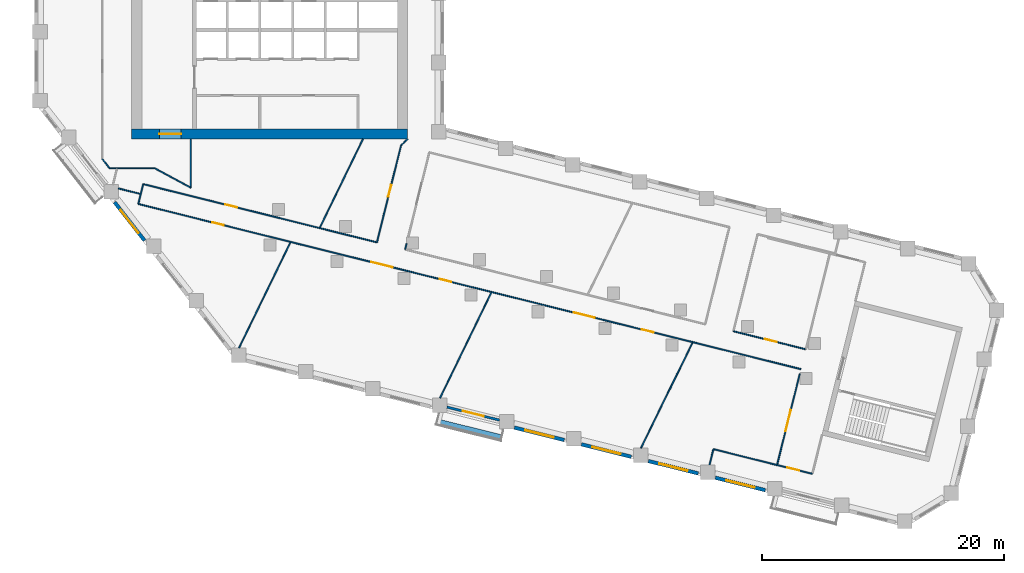
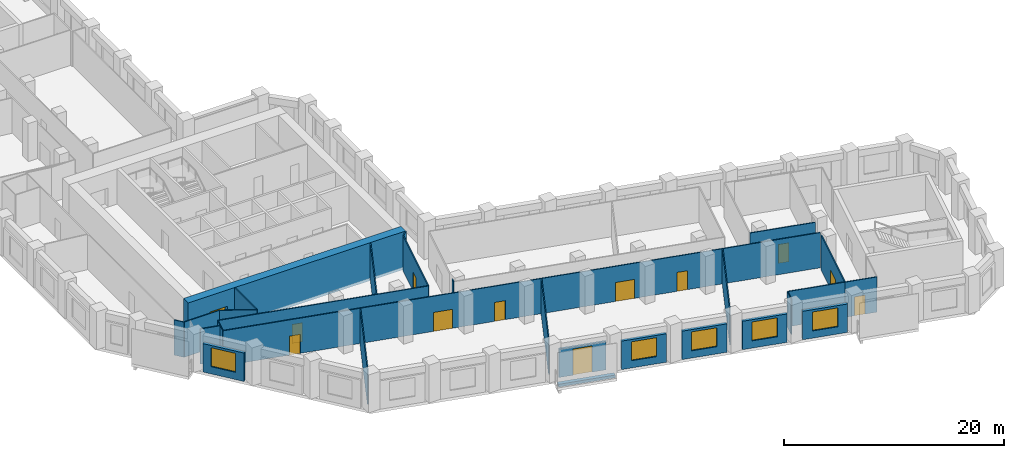
# One storey, part 3 of 10: 28 walls, 12 doors, 5 windows, 17 openings.
"""IFC4 building model written with IfcOpenShell, lengths in metres."""

from ifc_helpers import new_model, si_unit, direction, frame, frame_2d, origin, place, context, subcontext, project, spatial, rectangle, extrude, material, layer, layer_set, type_object, element, fill, save


model = new_model("IFC4")

# Units and contexts
model_context = context("Model", 3, precision=1e-05, world=origin(), true_north=direction((0.0, 1.0)))
body_context = subcontext(model_context, "Body", "Model", "MODEL_VIEW")
ifc_project = project(units=[si_unit("LENGTHUNIT", "METRE"), si_unit("AREAUNIT", "SQUARE_METRE"), si_unit("VOLUMEUNIT", "CUBIC_METRE"), si_unit("PLANEANGLEUNIT", "RADIAN"), si_unit("MASSUNIT", "GRAM", prefix="KILO")], contexts=[model_context])

# Site, building, storey
site_placement = place(None, origin())
site = spatial("IfcSite", under=ifc_project, at=site_placement, CompositionType="ELEMENT")
building_placement = place(site_placement, origin())
building = spatial("IfcBuilding", under=site, at=building_placement, Name="Meshkara Civic Tower", CompositionType="ELEMENT")
storey_placement = place(building_placement, frame((0.0, 0.0, 186.60009765625)))
storey = spatial("IfcBuildingStorey", under=building, at=storey_placement, Name="L42", CompositionType="ELEMENT", Elevation=186.60009765625)

# Wall, opening, door
ifc_material_1 = material(Name="Concrete C70", Category="concrete")
ifc_layer_1 = layer(ifc_material_1, 0.85009765625)
ifc_layer_set_1 = layer_set([ifc_layer_1], Name="Core ring wall 850 C70")
wall_type_1 = type_object("IfcWallType", Name="Core ring wall 850 C70", PredefinedType="SHEAR", material=ifc_layer_set_1)
wall_1_placement = place(storey_placement, frame((8.0, 14.52490234375, -0.300048828125), z_axis=(0.0, 0.0, 1.0), x_axis=(1.0, 0.0, 0.0)))
wall_1 = element("IfcWall", 1, at=wall_1_placement, inside=storey, type_object=wall_type_1, Name="L42-C001", PredefinedType="SHEAR", context=body_context, shape_type="SweptSolid", body=[
    extrude(rectangle(XDim=22.800048828125, YDim=0.85009765625, at=frame_2d((11.39990234375, 0.0))), origin(), (0.0, 0.0, 1.0), 4.199951171875),
])
opening_1_placement = place(wall_1_placement, frame((2.300048828125, 0.0, 0.300048828125)))
opening_1 = element("IfcOpeningElement", 2, at=opening_1_placement, cuts=wall_1, Name="Opening L42-K021", PredefinedType="OPENING", context=body_context, shape_type="SweptSolid", body=[
    extrude(rectangle(XDim=1.800048828125, YDim=2.10009765625, at=frame_2d((0.89990234375, 1.050048828125))), frame((0.0, 0.43505859375, 0.0), z_axis=(0.0, -1.0, 0.0), x_axis=(1.0, 0.0, 0.0)), (0.0, 0.0, 1.0), 0.8701171875),
])
ifc_material_2 = material(Name="Fire-rated door leaf in steel frame", Category="steel")
door_type_1 = type_object("IfcDoorType", Name="Core double door 1800 EI 60", OperationType="DOUBLE_DOOR_SINGLE_SWING", PredefinedType="DOOR", material=ifc_material_2)
door_1_placement = place(opening_1_placement, origin())
door_1 = element("IfcDoor", 3, at=door_1_placement, inside=storey, type_object=door_type_1, Name="L42-K021", OperationType="DOUBLE_DOOR_SINGLE_SWING", OverallHeight=2.10009765625, OverallWidth=1.800048828125, PredefinedType="DOOR", context=body_context, shape_type="SweptSolid", body=[
    extrude(rectangle(XDim=1.800048828125, YDim=2.10009765625, at=frame_2d((0.89990234375, 1.050048828125))), frame((0.0, 0.02490234375, 0.0), z_axis=(0.0, -1.0, 0.0), x_axis=(1.0, 0.0, 0.0)), (0.0, 0.0, 1.0), 0.050048828125),
])
fill(opening_1, door_1)

# Walls
ifc_material_3 = material(Name="Corridor wall 100")
ifc_layer_2 = layer(ifc_material_3, 0.10009765625)
ifc_layer_set_2 = layer_set([ifc_layer_2], Name="Corridor wall 100")
wall_type_2 = type_object("IfcWallType", Name="Corridor wall 100", PredefinedType="PARTITIONING", material=ifc_layer_set_2)
wall_2_placement = place(storey_placement, frame((5.60009765625, 12.450927734375, 0.0), z_axis=(0.0, 0.0, 1.0), x_axis=(0.615783213621, -0.787915626081, 0.0)))
element("IfcWall", 4, at=wall_2_placement, inside=storey, type_object=wall_type_2, Name="L42-W004", PredefinedType="PARTITIONING", context=body_context, shape_type="SweptSolid", body=[
    extrude(rectangle(XDim=0.953125, YDim=0.10009765625, at=frame_2d((0.4765625, 0.0))), origin(), (0.0, 0.0, 1.0), 3.89990234375),
])
wall_3_placement = place(storey_placement, frame((6.18701171875, 11.699951171875, 0.0), z_axis=(0.0, 0.0, 1.0), x_axis=(1.0, 0.0, 0.0)))
element("IfcWall", 5, at=wall_3_placement, inside=storey, type_object=wall_type_2, Name="L42-W006", PredefinedType="PARTITIONING", context=body_context, shape_type="SweptSolid", body=[
    extrude(rectangle(XDim=3.712890625, YDim=0.10009765625, at=frame_2d((1.8564453125, 0.0))), origin(), (0.0, 0.0, 1.0), 3.89990234375),
])

# Wall, openings, doors
wall_4_placement = place(storey_placement, frame((8.56494140625, 8.743896484375, 0.0), z_axis=(0.0, 0.0, 1.0), x_axis=(0.97029693432, -0.24191705035, 0.0)))
wall_4 = element("IfcWall", 6, at=wall_4_placement, inside=storey, type_object=wall_type_2, Name="L42-W009", PredefinedType="PARTITIONING", context=body_context, shape_type="SweptSolid", body=[
    extrude(rectangle(XDim=56.37451171875, YDim=0.10009765625, at=frame_2d((28.187255859375, 0.0))), origin(), (0.0, 0.0, 1.0), 3.89990234375),
])
opening_2_placement = place(wall_4_placement, frame((37.030029296875, 0.0, 0.0)))
opening_2 = element("IfcOpeningElement", 7, at=opening_2_placement, cuts=wall_4, Name="Opening L42-D003", PredefinedType="OPENING", context=body_context, shape_type="SweptSolid", body=[
    extrude(rectangle(XDim=1.800048828125, YDim=2.10009765625, at=frame_2d((0.89990234375, 1.050048828125))), frame((0.0, 0.06005859375, 0.0), z_axis=(0.0, -1.0, 0.0), x_axis=(1.0, 0.0, 0.0)), (0.0, 0.0, 1.0), 0.1201171875),
])
opening_3_placement = place(wall_4_placement, frame((42.830078125, 0.0, 0.0)))
opening_3 = element("IfcOpeningElement", 8, at=opening_3_placement, cuts=wall_4, Name="Opening L42-D004", PredefinedType="OPENING", context=body_context, shape_type="SweptSolid", body=[
    extrude(rectangle(XDim=1.0, YDim=2.10009765625, at=frame_2d((0.5, 1.050048828125))), frame((0.0, 0.06005859375, 0.0), z_axis=(0.0, -1.0, 0.0), x_axis=(1.0, 0.0, 0.0)), (0.0, 0.0, 1.0), 0.1201171875),
])
opening_4_placement = place(wall_4_placement, frame((19.8310546875, 0.0, 0.0)))
opening_4 = element("IfcOpeningElement", 9, at=opening_4_placement, cuts=wall_4, Name="Opening L42-D006", PredefinedType="OPENING", context=body_context, shape_type="SweptSolid", body=[
    extrude(rectangle(XDim=1.800048828125, YDim=2.10009765625, at=frame_2d((0.89990234375, 1.050048828125))), frame((0.0, 0.06005859375, 0.0), z_axis=(0.0, -1.0, 0.0), x_axis=(1.0, 0.0, 0.0)), (0.0, 0.0, 1.0), 0.1201171875),
])
opening_5_placement = place(wall_4_placement, frame((25.631103515625, 0.0, 0.0)))
opening_5 = element("IfcOpeningElement", 10, at=opening_5_placement, cuts=wall_4, Name="Opening L42-D007", PredefinedType="OPENING", context=body_context, shape_type="SweptSolid", body=[
    extrude(rectangle(XDim=1.0, YDim=2.10009765625, at=frame_2d((0.5, 1.050048828125))), frame((0.0, 0.06005859375, 0.0), z_axis=(0.0, -1.0, 0.0), x_axis=(1.0, 0.0, 0.0)), (0.0, 0.0, 1.0), 0.1201171875),
])
opening_6_placement = place(wall_4_placement, frame((6.280029296875, 0.0, 0.0)))
opening_6 = element("IfcOpeningElement", 11, at=opening_6_placement, cuts=wall_4, Name="Opening L42-D010", PredefinedType="OPENING", context=body_context, shape_type="SweptSolid", body=[
    extrude(rectangle(XDim=1.0, YDim=2.10009765625, at=frame_2d((0.5, 1.050048828125))), frame((0.0, 0.06005859375, 0.0), z_axis=(0.0, -1.0, 0.0), x_axis=(1.0, 0.0, 0.0)), (0.0, 0.0, 1.0), 0.1201171875),
])
ifc_material_4 = material(Name="Door 1000 x 2100")
door_type_2 = type_object("IfcDoorType", Name="Door 1000 x 2100", OperationType="SINGLE_SWING_LEFT", PredefinedType="DOOR", material=ifc_material_4)
door_2_placement = place(opening_3_placement, origin())
door_2 = element("IfcDoor", 12, at=door_2_placement, inside=storey, type_object=door_type_2, Name="L42-D004", OperationType="SINGLE_SWING_LEFT", OverallHeight=2.10009765625, OverallWidth=1.0, PredefinedType="DOOR", context=body_context, shape_type="SweptSolid", body=[
    extrude(rectangle(XDim=1.0, YDim=2.10009765625, at=frame_2d((0.5, 1.050048828125))), frame((0.0, 0.02490234375, 0.0), z_axis=(0.0, -1.0, 0.0), x_axis=(1.0, 0.0, 0.0)), (0.0, 0.0, 1.0), 0.050048828125),
])
fill(opening_3, door_2)
door_3_placement = place(opening_5_placement, origin())
door_3 = element("IfcDoor", 13, at=door_3_placement, inside=storey, type_object=door_type_2, Name="L42-D007", OperationType="SINGLE_SWING_LEFT", OverallHeight=2.10009765625, OverallWidth=1.0, PredefinedType="DOOR", context=body_context, shape_type="SweptSolid", body=[
    extrude(rectangle(XDim=1.0, YDim=2.10009765625, at=frame_2d((0.5, 1.050048828125))), frame((0.0, 0.02490234375, 0.0), z_axis=(0.0, -1.0, 0.0), x_axis=(1.0, 0.0, 0.0)), (0.0, 0.0, 1.0), 0.050048828125),
])
fill(opening_5, door_3)
door_4_placement = place(opening_6_placement, origin())
door_4 = element("IfcDoor", 14, at=door_4_placement, inside=storey, type_object=door_type_2, Name="L42-D010", OperationType="SINGLE_SWING_LEFT", OverallHeight=2.10009765625, OverallWidth=1.0, PredefinedType="DOOR", context=body_context, shape_type="SweptSolid", body=[
    extrude(rectangle(XDim=1.0, YDim=2.10009765625, at=frame_2d((0.5, 1.050048828125))), frame((0.0, 0.02490234375, 0.0), z_axis=(0.0, -1.0, 0.0), x_axis=(1.0, 0.0, 0.0)), (0.0, 0.0, 1.0), 0.050048828125),
])
fill(opening_6, door_4)
ifc_material_5 = material(Name="Door pair 1800 x 2100")
door_type_3 = type_object("IfcDoorType", Name="Door pair 1800 x 2100", OperationType="SINGLE_SWING_LEFT", PredefinedType="DOOR", material=ifc_material_5)
door_5_placement = place(opening_2_placement, origin())
door_5 = element("IfcDoor", 15, at=door_5_placement, inside=storey, type_object=door_type_3, Name="L42-D003", OperationType="DOUBLE_DOOR_SINGLE_SWING", OverallHeight=2.10009765625, OverallWidth=1.800048828125, PredefinedType="DOOR", context=body_context, shape_type="SweptSolid", body=[
    extrude(rectangle(XDim=1.800048828125, YDim=2.10009765625, at=frame_2d((0.89990234375, 1.050048828125))), frame((0.0, 0.02490234375, 0.0), z_axis=(0.0, -1.0, 0.0), x_axis=(1.0, 0.0, 0.0)), (0.0, 0.0, 1.0), 0.050048828125),
])
fill(opening_2, door_5)
door_6_placement = place(opening_4_placement, origin())
door_6 = element("IfcDoor", 16, at=door_6_placement, inside=storey, type_object=door_type_3, Name="L42-D006", OperationType="DOUBLE_DOOR_SINGLE_SWING", OverallHeight=2.10009765625, OverallWidth=1.800048828125, PredefinedType="DOOR", context=body_context, shape_type="SweptSolid", body=[
    extrude(rectangle(XDim=1.800048828125, YDim=2.10009765625, at=frame_2d((0.89990234375, 1.050048828125))), frame((0.0, 0.02490234375, 0.0), z_axis=(0.0, -1.0, 0.0), x_axis=(1.0, 0.0, 0.0)), (0.0, 0.0, 1.0), 0.050048828125),
])
fill(opening_4, door_6)

# Wall, opening, door
wall_5_placement = place(storey_placement, frame((8.972900390625, 10.382080078125, 0.0), z_axis=(0.0, 0.0, 1.0), x_axis=(0.970286808807, -0.241957658808, 0.0)))
wall_5 = element("IfcWall", 17, at=wall_5_placement, inside=storey, type_object=wall_type_2, Name="L42-W010", PredefinedType="PARTITIONING", context=body_context, shape_type="SweptSolid", body=[
    extrude(rectangle(XDim=19.879638671875, YDim=0.10009765625, at=frame_2d((9.93994140625, 0.0))), origin(), (0.0, 0.0, 1.0), 3.89990234375),
])
opening_7_placement = place(wall_5_placement, frame((6.97998046875, 0.0, 0.0)))
opening_7 = element("IfcOpeningElement", 18, at=opening_7_placement, cuts=wall_5, Name="Opening L42-D011", PredefinedType="OPENING", context=body_context, shape_type="SweptSolid", body=[
    extrude(rectangle(XDim=1.0, YDim=2.10009765625, at=frame_2d((0.5, 1.050048828125))), frame((0.0, 0.06005859375, 0.0), z_axis=(0.0, -1.0, 0.0), x_axis=(1.0, 0.0, 0.0)), (0.0, 0.0, 1.0), 0.1201171875),
])
door_7_placement = place(opening_7_placement, origin())
door_7 = element("IfcDoor", 19, at=door_7_placement, inside=storey, type_object=door_type_2, Name="L42-D011", OperationType="SINGLE_SWING_LEFT", OverallHeight=2.10009765625, OverallWidth=1.0, PredefinedType="DOOR", context=body_context, shape_type="SweptSolid", body=[
    extrude(rectangle(XDim=1.0, YDim=2.10009765625, at=frame_2d((0.5, 1.050048828125))), frame((0.0, 0.02490234375, 0.0), z_axis=(0.0, -1.0, 0.0), x_axis=(1.0, 0.0, 0.0)), (0.0, 0.0, 1.0), 0.050048828125),
])
fill(opening_7, door_7)

# Walls
wall_6_placement = place(storey_placement, frame((8.972900390625, 10.382080078125, 0.0), z_axis=(0.0, 0.0, 1.0), x_axis=(-0.241650823739, -0.970363271866, 0.0)))
element("IfcWall", 20, at=wall_6_placement, inside=storey, type_object=wall_type_2, Name="L42-W011", PredefinedType="PARTITIONING", context=body_context, shape_type="SweptSolid", body=[
    extrude(rectangle(XDim=1.688232421875, YDim=0.10009765625, at=frame_2d((0.84423828125, 0.0))), origin(), (0.0, 0.0, 1.0), 3.89990234375),
])
wall_7_placement = place(storey_placement, frame((9.89990234375, 11.699951171875, 0.0), z_axis=(0.0, 0.0, 1.0), x_axis=(0.87965147249, -0.475618846291, 0.0)))
element("IfcWall", 21, at=wall_7_placement, inside=storey, type_object=wall_type_2, Name="L42-W012", PredefinedType="PARTITIONING", context=body_context, shape_type="SweptSolid", body=[
    extrude(rectangle(XDim=3.410400390625, YDim=0.10009765625, at=frame_2d((1.705078125, 0.0))), origin(), (0.0, 0.0, 1.0), 3.89990234375),
])
wall_8_placement = place(storey_placement, frame((12.89990234375, 10.077880859375, 0.0), z_axis=(0.0, 0.0, 1.0), x_axis=(0.0, 1.0, 0.0)))
element("IfcWall", 22, at=wall_8_placement, inside=storey, type_object=wall_type_2, Name="L42-W016", PredefinedType="PARTITIONING", context=body_context, shape_type="SweptSolid", body=[
    extrude(rectangle(XDim=4.022216796875, YDim=0.10009765625, at=frame_2d((2.01123046875, 0.0))), origin(), (0.0, 0.0, 1.0), 3.89990234375),
])

# Wall, opening, door
wall_9_placement = place(storey_placement, frame((30.259033203125, 13.5830078125, 0.0), z_axis=(0.0, 0.0, 1.0), x_axis=(-0.241888494143, -0.970304053584, 0.0)))
wall_9 = element("IfcWall", 23, at=wall_9_placement, inside=storey, type_object=wall_type_2, Name="L42-W023", PredefinedType="PARTITIONING", context=body_context, shape_type="SweptSolid", body=[
    extrude(rectangle(XDim=8.256103515625, YDim=0.10009765625, at=frame_2d((4.1279296875, 0.0))), origin(), (0.0, 0.0, 1.0), 3.89990234375),
])
opening_8_placement = place(wall_9_placement, frame((3.3798828125, 0.0, 0.0)))
opening_8 = element("IfcOpeningElement", 24, at=opening_8_placement, cuts=wall_9, Name="Opening L42-D012", PredefinedType="OPENING", context=body_context, shape_type="SweptSolid", body=[
    extrude(rectangle(XDim=1.0, YDim=2.10009765625, at=frame_2d((0.5, 1.050048828125))), frame((0.0, 0.06005859375, 0.0), z_axis=(0.0, -1.0, 0.0), x_axis=(1.0, 0.0, 0.0)), (0.0, 0.0, 1.0), 0.1201171875),
])
door_8_placement = place(opening_8_placement, origin())
door_8 = element("IfcDoor", 25, at=door_8_placement, inside=storey, type_object=door_type_2, Name="L42-D012", OperationType="SINGLE_SWING_RIGHT", OverallHeight=2.10009765625, OverallWidth=1.0, PredefinedType="DOOR", context=body_context, shape_type="SweptSolid", body=[
    extrude(rectangle(XDim=1.0, YDim=2.10009765625, at=frame_2d((0.5, 1.050048828125))), frame((0.0, 0.02490234375, 0.0), z_axis=(0.0, -1.0, 0.0), x_axis=(1.0, 0.0, 0.0)), (0.0, 0.0, 1.0), 0.050048828125),
])
fill(opening_8, door_8)

# Walls
wall_10_placement = place(storey_placement, frame((30.590087890625, 4.991943359375, 0.0), z_axis=(0.0, 0.0, 1.0), x_axis=(0.241731207299, 0.970343250308, 0.0)))
element("IfcWall", 26, at=wall_10_placement, inside=storey, type_object=wall_type_2, Name="L42-W025", PredefinedType="PARTITIONING", context=body_context, shape_type="SweptSolid", body=[
    extrude(rectangle(XDim=0.5, YDim=0.10009765625, at=frame_2d((0.25, 0.0))), origin(), (0.0, 0.0, 1.0), 3.89990234375),
])
wall_11_placement = place(storey_placement, frame((30.800048828125, 14.10009765625, 0.0), z_axis=(0.0, 0.0, 1.0), x_axis=(-0.722911025189, -0.690941133281, 0.0)))
element("IfcWall", 27, at=wall_11_placement, inside=storey, type_object=wall_type_2, Name="L42-W026", PredefinedType="PARTITIONING", context=body_context, shape_type="SweptSolid", body=[
    extrude(rectangle(XDim=0.748291015625, YDim=0.10009765625, at=frame_2d((0.3740234375, 0.0))), origin(), (0.0, 0.0, 1.0), 3.89990234375),
])

# Wall, opening, door
wall_12_placement = place(storey_placement, frame((61.2919921875, -12.80810546875, 0.0), z_axis=(0.0, 0.0, 1.0), x_axis=(0.970290716908, -0.241941986192, 0.0)))
wall_12 = element("IfcWall", 28, at=wall_12_placement, inside=storey, type_object=wall_type_2, Name="L42-W032", PredefinedType="PARTITIONING", context=body_context, shape_type="SweptSolid", body=[
    extrude(rectangle(XDim=3.0, YDim=0.10009765625, at=frame_2d((1.5, 0.0))), origin(), (0.0, 0.0, 1.0), 3.89990234375),
])
opening_9_placement = place(wall_12_placement, frame((0.8798828125, 0.0, 0.0)))
opening_9 = element("IfcOpeningElement", 29, at=opening_9_placement, cuts=wall_12, Name="Opening L42-D001", PredefinedType="OPENING", context=body_context, shape_type="SweptSolid", body=[
    extrude(rectangle(XDim=1.0, YDim=2.10009765625, at=frame_2d((0.5, 1.050048828125))), frame((0.0, 0.06005859375, 0.0), z_axis=(0.0, -1.0, 0.0), x_axis=(1.0, 0.0, 0.0)), (0.0, 0.0, 1.0), 0.1201171875),
])
door_9_placement = place(opening_9_placement, origin())
door_9 = element("IfcDoor", 30, at=door_9_placement, inside=storey, type_object=door_type_2, Name="L42-D001", OperationType="SINGLE_SWING_RIGHT", OverallHeight=2.10009765625, OverallWidth=1.0, PredefinedType="DOOR", context=body_context, shape_type="SweptSolid", body=[
    extrude(rectangle(XDim=1.0, YDim=2.10009765625, at=frame_2d((0.5, 1.050048828125))), frame((0.0, 0.02490234375, 0.0), z_axis=(0.0, -1.0, 0.0), x_axis=(1.0, 0.0, 0.0)), (0.0, 0.0, 1.0), 0.050048828125),
])
fill(opening_9, door_9)

wall_13_placement = place(storey_placement, frame((63.1689453125, -5.279052734375, 0.0), z_axis=(0.0, 0.0, 1.0), x_axis=(-0.241891494948, -0.970303305504, 0.0)))
wall_13 = element("IfcWall", 31, at=wall_13_placement, inside=storey, type_object=wall_type_2, Name="L42-W033", PredefinedType="PARTITIONING", context=body_context, shape_type="SweptSolid", body=[
    extrude(rectangle(XDim=7.759521484375, YDim=0.10009765625, at=frame_2d((3.8798828125, 0.0))), origin(), (0.0, 0.0, 1.0), 3.89990234375),
])
opening_10_placement = place(wall_13_placement, frame((3.080078125, 0.0, 0.0)))
opening_10 = element("IfcOpeningElement", 32, at=opening_10_placement, cuts=wall_13, Name="Opening L42-D002", PredefinedType="OPENING", context=body_context, shape_type="SweptSolid", body=[
    extrude(rectangle(XDim=1.800048828125, YDim=2.10009765625, at=frame_2d((0.89990234375, 1.050048828125))), frame((0.0, 0.06005859375, 0.0), z_axis=(0.0, -1.0, 0.0), x_axis=(1.0, 0.0, 0.0)), (0.0, 0.0, 1.0), 0.1201171875),
])
door_10_placement = place(opening_10_placement, origin())
door_10 = element("IfcDoor", 33, at=door_10_placement, inside=storey, type_object=door_type_3, Name="L42-D002", OperationType="DOUBLE_DOOR_SINGLE_SWING", OverallHeight=2.10009765625, OverallWidth=1.800048828125, PredefinedType="DOOR", context=body_context, shape_type="SweptSolid", body=[
    extrude(rectangle(XDim=1.800048828125, YDim=2.10009765625, at=frame_2d((0.89990234375, 1.050048828125))), frame((0.0, 0.02490234375, 0.0), z_axis=(0.0, -1.0, 0.0), x_axis=(1.0, 0.0, 0.0)), (0.0, 0.0, 1.0), 0.050048828125),
])
fill(opening_10, door_10)

wall_14_placement = place(storey_placement, frame((63.674072265625, -3.257080078125, 0.0), z_axis=(0.0, 0.0, 1.0), x_axis=(-0.970279662322, 0.24198631549, 0.0)))
wall_14 = element("IfcWall", 34, at=wall_14_placement, inside=storey, type_object=wall_type_2, Name="L42-W034", PredefinedType="PARTITIONING", context=body_context, shape_type="SweptSolid", body=[
    extrude(rectangle(XDim=6.17041015625, YDim=0.10009765625, at=frame_2d((3.085205078125, 0.0))), origin(), (0.0, 0.0, 1.0), 3.89990234375),
])
opening_11_placement = place(wall_14_placement, frame((2.47998046875, 0.0, 0.0)))
opening_11 = element("IfcOpeningElement", 35, at=opening_11_placement, cuts=wall_14, Name="Opening L42-D005", PredefinedType="OPENING", context=body_context, shape_type="SweptSolid", body=[
    extrude(rectangle(XDim=1.0, YDim=2.10009765625, at=frame_2d((0.5, 1.050048828125))), frame((0.0, 0.06005859375, 0.0), z_axis=(0.0, -1.0, 0.0), x_axis=(1.0, 0.0, 0.0)), (0.0, 0.0, 1.0), 0.1201171875),
])
door_11_placement = place(opening_11_placement, origin())
door_11 = element("IfcDoor", 36, at=door_11_placement, inside=storey, type_object=door_type_2, Name="L42-D005", OperationType="SINGLE_SWING_RIGHT", OverallHeight=2.10009765625, OverallWidth=1.0, PredefinedType="DOOR", context=body_context, shape_type="SweptSolid", body=[
    extrude(rectangle(XDim=1.0, YDim=2.10009765625, at=frame_2d((0.5, 1.050048828125))), frame((0.0, 0.02490234375, 0.0), z_axis=(0.0, -1.0, 0.0), x_axis=(1.0, 0.0, 0.0)), (0.0, 0.0, 1.0), 0.050048828125),
])
fill(opening_11, door_11)

# Wall, opening, window
ifc_material_6 = material(Name="Insulated infill panel with bronze anodised aluminium cladding", Category="aluminium")
ifc_layer_3 = layer(ifc_material_6, 0.300048828125)
ifc_layer_set_3 = layer_set([ifc_layer_3], Name="EXTERNAL INFILL WALL 300")
wall_type_3 = type_object("IfcWallType", Name="EXTERNAL INFILL WALL 300", PredefinedType="SOLIDWALL", material=ifc_layer_set_3)
wall_15_placement = place(storey_placement, frame((6.60498046875, 8.888916015625, 0.0), z_axis=(0.0, 0.0, 1.0), x_axis=(0.615706559089, -0.787975528233, 0.0)))
wall_15 = element("IfcWall", 37, at=wall_15_placement, inside=storey, type_object=wall_type_3, Name="External wall", PredefinedType="SOLIDWALL", context=body_context, shape_type="SweptSolid", body=[
    extrude(rectangle(XDim=4.016357421875, YDim=0.300048828125, at=frame_2d((2.00830078125, 0.0))), origin(), (0.0, 0.0, 1.0), 3.14990234375),
])
opening_12_placement = place(wall_15_placement, frame((0.80810546875, 0.0, 0.800048828125)))
opening_12 = element("IfcOpeningElement", 38, at=opening_12_placement, cuts=wall_15, Name="Opening W7", PredefinedType="OPENING", context=body_context, shape_type="SweptSolid", body=[
    extrude(rectangle(XDim=2.39990234375, YDim=2.10009765625, at=frame_2d((1.199951171875, 1.050048828125))), frame((0.0, 0.159912109375, 0.0), z_axis=(0.0, -1.0, 0.0), x_axis=(1.0, 0.0, 0.0)), (0.0, 0.0, 1.0), 0.320068359375),
])
ifc_material_7 = material(Name="Tinted double glazing", Category="glass")
window_type = type_object("IfcWindowType", Name="WINDOW 2400x2100", PartitioningType="DOUBLE_PANEL_VERTICAL", PredefinedType="WINDOW", material=ifc_material_7)
window_1_placement = place(opening_12_placement, origin())
window_1 = element("IfcWindow", 39, at=window_1_placement, inside=storey, type_object=window_type, Name="Window", OverallHeight=2.10009765625, OverallWidth=2.39990234375, PartitioningType="DOUBLE_PANEL_VERTICAL", PredefinedType="WINDOW", context=body_context, shape_type="SweptSolid", body=[
    extrude(rectangle(XDim=2.39990234375, YDim=2.10009765625, at=frame_2d((1.199951171875, 1.050048828125))), frame((0.0, 0.030029296875, 0.0), z_axis=(0.0, -1.0, 0.0), x_axis=(1.0, 0.0, 0.0)), (0.0, 0.0, 1.0), 0.06005859375),
])
fill(opening_12, window_1)

wall_16_placement = place(storey_placement, frame((39.60693359375, -9.719970703125, 0.0), z_axis=(0.0, 0.0, 1.0), x_axis=(0.970250625545, -0.242102712975, 0.0)))
wall_16 = element("IfcWall", 40, at=wall_16_placement, inside=storey, type_object=wall_type_3, Name="External wall", PredefinedType="SOLIDWALL", context=body_context, shape_type="SweptSolid", body=[
    extrude(rectangle(XDim=4.246337890625, YDim=0.300048828125, at=frame_2d((2.123046875, 0.0))), origin(), (0.0, 0.0, 1.0), 3.14990234375),
])
opening_13_placement = place(wall_16_placement, frame((0.923095703125, 0.0, 0.800048828125)))
opening_13 = element("IfcOpeningElement", 41, at=opening_13_placement, cuts=wall_16, Name="Opening W7", PredefinedType="OPENING", context=body_context, shape_type="SweptSolid", body=[
    extrude(rectangle(XDim=2.39990234375, YDim=2.10009765625, at=frame_2d((1.199951171875, 1.050048828125))), frame((0.0, 0.159912109375, 0.0), z_axis=(0.0, -1.0, 0.0), x_axis=(1.0, 0.0, 0.0)), (0.0, 0.0, 1.0), 0.320068359375),
])
window_2_placement = place(opening_13_placement, origin())
window_2 = element("IfcWindow", 42, at=window_2_placement, inside=storey, type_object=window_type, Name="Window", OverallHeight=2.10009765625, OverallWidth=2.39990234375, PartitioningType="DOUBLE_PANEL_VERTICAL", PredefinedType="WINDOW", context=body_context, shape_type="SweptSolid", body=[
    extrude(rectangle(XDim=2.39990234375, YDim=2.10009765625, at=frame_2d((1.199951171875, 1.050048828125))), frame((0.0, 0.030029296875, 0.0), z_axis=(0.0, -1.0, 0.0), x_axis=(1.0, 0.0, 0.0)), (0.0, 0.0, 1.0), 0.06005859375),
])
fill(opening_13, window_2)

wall_17_placement = place(storey_placement, frame((45.137939453125, -11.09912109375, 0.0), z_axis=(0.0, 0.0, 1.0), x_axis=(0.970304663212, -0.241886048688, 0.0)))
wall_17 = element("IfcWall", 43, at=wall_17_placement, inside=storey, type_object=wall_type_3, Name="External wall", PredefinedType="SOLIDWALL", context=body_context, shape_type="SweptSolid", body=[
    extrude(rectangle(XDim=4.2451171875, YDim=0.300048828125, at=frame_2d((2.12255859375, 0.0))), origin(), (0.0, 0.0, 1.0), 3.14990234375),
])
opening_14_placement = place(wall_17_placement, frame((0.922119140625, 0.0, 0.800048828125)))
opening_14 = element("IfcOpeningElement", 44, at=opening_14_placement, cuts=wall_17, Name="Opening W7", PredefinedType="OPENING", context=body_context, shape_type="SweptSolid", body=[
    extrude(rectangle(XDim=2.39990234375, YDim=2.10009765625, at=frame_2d((1.199951171875, 1.050048828125))), frame((0.0, 0.159912109375, 0.0), z_axis=(0.0, -1.0, 0.0), x_axis=(1.0, 0.0, 0.0)), (0.0, 0.0, 1.0), 0.320068359375),
])
window_3_placement = place(opening_14_placement, origin())
window_3 = element("IfcWindow", 45, at=window_3_placement, inside=storey, type_object=window_type, Name="Window", OverallHeight=2.10009765625, OverallWidth=2.39990234375, PartitioningType="DOUBLE_PANEL_VERTICAL", PredefinedType="WINDOW", context=body_context, shape_type="SweptSolid", body=[
    extrude(rectangle(XDim=2.39990234375, YDim=2.10009765625, at=frame_2d((1.199951171875, 1.050048828125))), frame((0.0, 0.030029296875, 0.0), z_axis=(0.0, -1.0, 0.0), x_axis=(1.0, 0.0, 0.0)), (0.0, 0.0, 1.0), 0.06005859375),
])
fill(opening_14, window_3)

wall_18_placement = place(storey_placement, frame((50.66796875, -12.47802734375, 0.0), z_axis=(0.0, 0.0, 1.0), x_axis=(0.970318118028, -0.241832069473, 0.0)))
wall_18 = element("IfcWall", 46, at=wall_18_placement, inside=storey, type_object=wall_type_3, Name="External wall", PredefinedType="SOLIDWALL", context=body_context, shape_type="SweptSolid", body=[
    extrude(rectangle(XDim=4.24609375, YDim=0.300048828125, at=frame_2d((2.123046875, 0.0))), origin(), (0.0, 0.0, 1.0), 3.14990234375),
])
opening_15_placement = place(wall_18_placement, frame((0.923095703125, 0.0, 0.800048828125)))
opening_15 = element("IfcOpeningElement", 47, at=opening_15_placement, cuts=wall_18, Name="Opening W7", PredefinedType="OPENING", context=body_context, shape_type="SweptSolid", body=[
    extrude(rectangle(XDim=2.39990234375, YDim=2.10009765625, at=frame_2d((1.199951171875, 1.050048828125))), frame((0.0, 0.159912109375, 0.0), z_axis=(0.0, -1.0, 0.0), x_axis=(1.0, 0.0, 0.0)), (0.0, 0.0, 1.0), 0.320068359375),
])
window_4_placement = place(opening_15_placement, origin())
window_4 = element("IfcWindow", 48, at=window_4_placement, inside=storey, type_object=window_type, Name="Window", OverallHeight=2.10009765625, OverallWidth=2.39990234375, PartitioningType="DOUBLE_PANEL_VERTICAL", PredefinedType="WINDOW", context=body_context, shape_type="SweptSolid", body=[
    extrude(rectangle(XDim=2.39990234375, YDim=2.10009765625, at=frame_2d((1.199951171875, 1.050048828125))), frame((0.0, 0.030029296875, 0.0), z_axis=(0.0, -1.0, 0.0), x_axis=(1.0, 0.0, 0.0)), (0.0, 0.0, 1.0), 0.06005859375),
])
fill(opening_15, window_4)

wall_19_placement = place(storey_placement, frame((56.198974609375, -13.85693359375, 0.0), z_axis=(0.0, 0.0, 1.0), x_axis=(0.97030462482, -0.241886202691, 0.0)))
wall_19 = element("IfcWall", 49, at=wall_19_placement, inside=storey, type_object=wall_type_3, Name="External wall", PredefinedType="SOLIDWALL", context=body_context, shape_type="SweptSolid", body=[
    extrude(rectangle(XDim=4.24609375, YDim=0.300048828125, at=frame_2d((2.123046875, 0.0))), origin(), (0.0, 0.0, 1.0), 3.14990234375),
])
opening_16_placement = place(wall_19_placement, frame((0.923095703125, 0.0, 0.800048828125)))
opening_16 = element("IfcOpeningElement", 50, at=opening_16_placement, cuts=wall_19, Name="Opening W7", PredefinedType="OPENING", context=body_context, shape_type="SweptSolid", body=[
    extrude(rectangle(XDim=2.39990234375, YDim=2.10009765625, at=frame_2d((1.199951171875, 1.050048828125))), frame((0.0, 0.159912109375, 0.0), z_axis=(0.0, -1.0, 0.0), x_axis=(1.0, 0.0, 0.0)), (0.0, 0.0, 1.0), 0.320068359375),
])
window_5_placement = place(opening_16_placement, origin())
window_5 = element("IfcWindow", 51, at=window_5_placement, inside=storey, type_object=window_type, Name="Window", OverallHeight=2.10009765625, OverallWidth=2.39990234375, PartitioningType="DOUBLE_PANEL_VERTICAL", PredefinedType="WINDOW", context=body_context, shape_type="SweptSolid", body=[
    extrude(rectangle(XDim=2.39990234375, YDim=2.10009765625, at=frame_2d((1.199951171875, 1.050048828125))), frame((0.0, 0.030029296875, 0.0), z_axis=(0.0, -1.0, 0.0), x_axis=(1.0, 0.0, 0.0)), (0.0, 0.0, 1.0), 0.06005859375),
])
fill(opening_16, window_5)

# Wall, opening, door
ifc_material_8 = material(Name="Insulated infill panel with bronze anodised aluminium cladding", Category="aluminium")
ifc_layer_4 = layer(ifc_material_8, 0.199951171875)
ifc_layer_set_4 = layer_set([ifc_layer_4], Name="LOGGIA BACK WALL 200")
wall_type_4 = type_object("IfcWallType", Name="LOGGIA BACK WALL 200", PredefinedType="SOLIDWALL", material=ifc_layer_set_4)
wall_20_placement = place(storey_placement, frame((34.04296875, -8.02392578125, 0.0), z_axis=(0.0, 0.0, 1.0), x_axis=(0.970283897632, -0.241969332758, 0.0)))
wall_20 = element("IfcWall", 52, at=wall_20_placement, inside=storey, type_object=wall_type_4, Name="Loggia wall", PredefinedType="SOLIDWALL", context=body_context, shape_type="SweptSolid", body=[
    extrude(rectangle(XDim=4.463623046875, YDim=0.199951171875, at=frame_2d((2.23193359375, 0.0))), origin(), (0.0, 0.0, 1.0), 3.14990234375),
])
opening_17_placement = place(wall_20_placement, frame((1.3310546875, 0.0, 0.0)))
opening_17 = element("IfcOpeningElement", 53, at=opening_17_placement, cuts=wall_20, Name="Opening L42-L003", PredefinedType="OPENING", context=body_context, shape_type="SweptSolid", body=[
    extrude(rectangle(XDim=1.800048828125, YDim=2.89990234375, at=frame_2d((0.89990234375, 1.449951171875))), frame((0.0, 0.10986328125, 0.0), z_axis=(0.0, -1.0, 0.0), x_axis=(1.0, 0.0, 0.0)), (0.0, 0.0, 1.0), 0.219970703125),
])
ifc_material_9 = material(Name="Tinted double glazing", Category="glass")
door_type_4 = type_object("IfcDoorType", Name="LOGGIA DOOR 1800x2900", OperationType="DOUBLE_DOOR_SINGLE_SWING", PredefinedType="DOOR", material=ifc_material_9)
door_12_placement = place(opening_17_placement, origin())
door_12 = element("IfcDoor", 54, at=door_12_placement, inside=storey, type_object=door_type_4, Name="L42-L003", OperationType="DOUBLE_DOOR_SINGLE_SWING", OverallHeight=2.89990234375, OverallWidth=1.800048828125, PredefinedType="DOOR", context=body_context, shape_type="SweptSolid", body=[
    extrude(rectangle(XDim=1.800048828125, YDim=2.89990234375, at=frame_2d((0.89990234375, 1.449951171875))), frame((0.0, 0.02490234375, 0.0), z_axis=(0.0, -1.0, 0.0), x_axis=(1.0, 0.0, 0.0)), (0.0, 0.0, 1.0), 0.050048828125),
])
fill(opening_17, door_12)

# Walls
ifc_material_10 = material(Name="Concrete C40", Category="concrete")
ifc_layer_5 = layer(ifc_material_10, 0.39990234375)
ifc_layer_set_5 = layer_set([ifc_layer_5], Name="PLANTER TRAY")
wall_type_5 = type_object("IfcWallType", Name="PLANTER TRAY", PredefinedType="SOLIDWALL", material=ifc_layer_set_5)
wall_21_placement = place(storey_placement, frame((33.285888671875, -9.2060546875, 0.0), z_axis=(0.0, 0.0, 1.0), x_axis=(0.970292345375, -0.241935455249, 0.0)))
element("IfcWall", 55, at=wall_21_placement, inside=storey, type_object=wall_type_5, Name="Planter", PredefinedType="SOLIDWALL", context=body_context, shape_type="SweptSolid", body=[
    extrude(rectangle(XDim=5.3603515625, YDim=0.39990234375, at=frame_2d((2.68017578125, 0.0))), origin(), (0.0, 0.0, 1.0), 0.2998046875),
])
ifc_material_11 = material(Name="Partition 100")
ifc_layer_6 = layer(ifc_material_11, 0.10009765625)
ifc_layer_set_6 = layer_set([ifc_layer_6], Name="Partition 100")
wall_type_6 = type_object("IfcWallType", Name="Partition 100", PredefinedType="PARTITIONING", material=ifc_layer_set_6)
wall_22_placement = place(storey_placement, frame((8.719970703125, 9.573974609375, 0.0), z_axis=(0.0, 0.0, 1.0), x_axis=(-0.97017350799, 0.242411559945, 0.0)))
element("IfcWall", 56, at=wall_22_placement, inside=storey, type_object=wall_type_6, Name="L42-W048", PredefinedType="PARTITIONING", context=body_context, shape_type="SweptSolid", body=[
    extrude(rectangle(XDim=1.85205078125, YDim=0.10009765625, at=frame_2d((0.926025390625, 0.0))), origin(), (0.0, 0.0, 1.0), 3.89990234375),
])
wall_23_placement = place(storey_placement, frame((16.876953125, -3.137939453125, 0.0), z_axis=(0.0, 0.0, 1.0), x_axis=(0.438466907108, 0.898747334556, 0.0)))
element("IfcWall", 57, at=wall_23_placement, inside=storey, type_object=wall_type_6, Name="L42-W051", PredefinedType="PARTITIONING", context=body_context, shape_type="SweptSolid", body=[
    extrude(rectangle(XDim=9.669921875, YDim=0.10009765625, at=frame_2d((4.8349609375, 0.0))), origin(), (0.0, 0.0, 1.0), 3.89990234375),
])
wall_24_placement = place(storey_placement, frame((23.554931640625, 6.80810546875, 0.0), z_axis=(0.0, 0.0, 1.0), x_axis=(0.438332324522, 0.898812980146, 0.0)))
element("IfcWall", 58, at=wall_24_placement, inside=storey, type_object=wall_type_6, Name="L42-W053", PredefinedType="PARTITIONING", context=body_context, shape_type="SweptSolid", body=[
    extrude(rectangle(XDim=8.11279296875, YDim=0.10009765625, at=frame_2d((4.056396484375, 0.0))), origin(), (0.0, 0.0, 1.0), 3.89990234375),
])
wall_25_placement = place(storey_placement, frame((33.469970703125, -7.27490234375, 0.0), z_axis=(0.0, 0.0, 1.0), x_axis=(0.438303739134, 0.898826920081, 0.0)))
element("IfcWall", 59, at=wall_25_placement, inside=storey, type_object=wall_type_6, Name="L42-W054", PredefinedType="PARTITIONING", context=body_context, shape_type="SweptSolid", body=[
    extrude(rectangle(XDim=9.669189453125, YDim=0.10009765625, at=frame_2d((4.83447265625, 0.0))), origin(), (0.0, 0.0, 1.0), 3.89990234375),
])
wall_26_placement = place(storey_placement, frame((50.06201171875, -11.410888671875, 0.0), z_axis=(0.0, 0.0, 1.0), x_axis=(0.438425124484, 0.898767717612, 0.0)))
element("IfcWall", 60, at=wall_26_placement, inside=storey, type_object=wall_type_6, Name="L42-W056", PredefinedType="PARTITIONING", context=body_context, shape_type="SweptSolid", body=[
    extrude(rectangle(XDim=9.668701171875, YDim=0.10009765625, at=frame_2d((4.83447265625, 0.0))), origin(), (0.0, 0.0, 1.0), 3.89990234375),
])
wall_27_placement = place(storey_placement, frame((55.716064453125, -12.7900390625, 0.0), z_axis=(0.0, 0.0, 1.0), x_axis=(0.241845285879, 0.970314824012, 0.0)))
element("IfcWall", 61, at=wall_27_placement, inside=storey, type_object=wall_type_6, Name="L42-W057", PredefinedType="PARTITIONING", context=body_context, shape_type="SweptSolid", body=[
    extrude(rectangle(XDim=1.33154296875, YDim=0.10009765625, at=frame_2d((0.665771484375, 0.0))), origin(), (0.0, 0.0, 1.0), 3.89990234375),
])
wall_28_placement = place(storey_placement, frame((56.0380859375, -11.498046875, 0.0), z_axis=(0.0, 0.0, 1.0), x_axis=(0.970290732875, -0.241941922155, 0.0)))
element("IfcWall", 62, at=wall_28_placement, inside=storey, type_object=wall_type_6, Name="L42-W058", PredefinedType="PARTITIONING", context=body_context, shape_type="SweptSolid", body=[
    extrude(rectangle(XDim=5.418701171875, YDim=0.10009765625, at=frame_2d((2.70947265625, 0.0))), origin(), (0.0, 0.0, 1.0), 3.89990234375),
])

save(model, "model.ifc")
